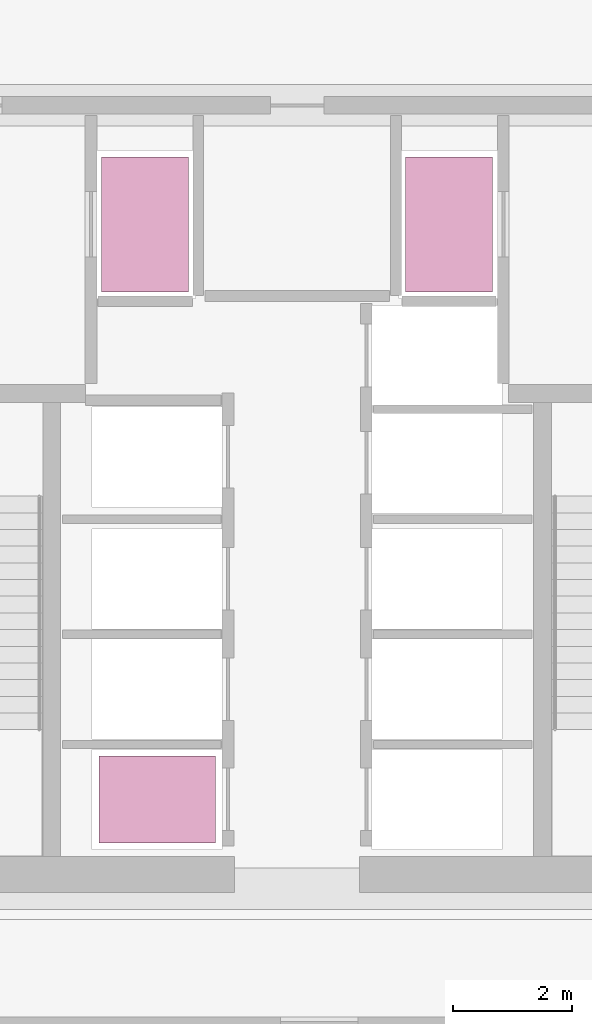
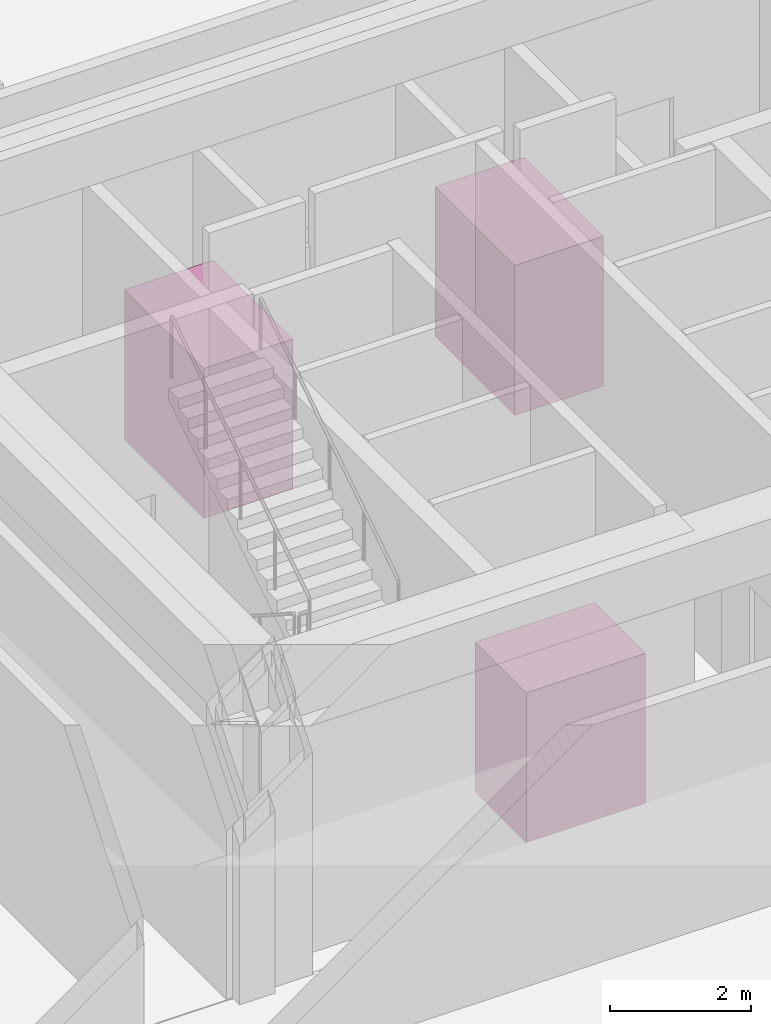
# One storey, part 12 of 12: 3 transport elements.
"""IFC4 building model written with IfcOpenShell, lengths in metres."""

from ifc_helpers import new_model, si_unit, direction, frame, origin, origin_2d, place, context, subcontext, project, spatial, rectangle, extrude, material, type_object, element, save


model = new_model("IFC4")

# Units and contexts
model_context = context("Model", 3, precision=1e-05, world=origin(), true_north=direction((0.0, 1.0)))
body_context = subcontext(model_context, "Body", "Model", "MODEL_VIEW")
ifc_project = project(units=[si_unit("LENGTHUNIT", "METRE"), si_unit("AREAUNIT", "SQUARE_METRE"), si_unit("VOLUMEUNIT", "CUBIC_METRE"), si_unit("PLANEANGLEUNIT", "RADIAN"), si_unit("MASSUNIT", "GRAM", prefix="KILO")], contexts=[model_context])

# Site, building, storey
site_placement = place(None, origin())
site = spatial("IfcSite", under=ifc_project, at=site_placement, CompositionType="ELEMENT")
building_placement = place(site_placement, origin())
building = spatial("IfcBuilding", under=site, at=building_placement, Name="Oramaril Tower", CompositionType="ELEMENT")
storey_placement = place(building_placement, origin())
storey = spatial("IfcBuildingStorey", under=building, at=storey_placement, Name="L00", CompositionType="ELEMENT", Elevation=0.0)

# Transport elements
ifc_material_1 = material(Name="Stainless Steel 316L", Category="steel")
transport_element_type_1 = type_object("IfcTransportElementType", Name="LFT-FF", PredefinedType="ELEVATOR", material=ifc_material_1)
for number, where, z_axis, x_axis, name in (
    (1, (34.949951171875, 22.14990234375, 0.0), (0.0, 0.0, 1.0), (1.0, 0.0, 0.0), "Elevator Car FL-1"),
    (2, (40.050048828125, 22.14990234375, 0.0), (0.0, 0.0, 1.0), (1.0, 0.0, 0.0), "Elevator Car FL-2"),
):
    element("IfcTransportElement", number, at=place(storey_placement, frame(where, z_axis=z_axis, x_axis=x_axis)), inside=storey, type_object=transport_element_type_1, Name=name, PredefinedType="ELEVATOR", context=body_context, shape_type="SweptSolid", body=[
        extrude(rectangle(XDim=1.4599609375, YDim=2.260009765625, at=origin_2d()), origin(), (0.0, 0.0, 1.0), 2.60009765625),
    ])
ifc_material_2 = material(Name="Stainless Steel 316L", Category="steel")
transport_element_type_2 = type_object("IfcTransportElementType", Name="LFT-PAX", PredefinedType="ELEVATOR", material=ifc_material_2)
transport_element_placement = place(storey_placement, frame((35.14990234375, 12.5, 0.0), z_axis=(0.0, 0.0, 1.0), x_axis=(1.0, 0.0, 0.0)))
element("IfcTransportElement", 3, at=transport_element_placement, inside=storey, type_object=transport_element_type_2, Name="Elevator Car LP-L1", PredefinedType="ELEVATOR", context=body_context, shape_type="SweptSolid", body=[
    extrude(rectangle(XDim=1.9599609375, YDim=1.4599609375, at=origin_2d()), origin(), (0.0, 0.0, 1.0), 2.60009765625),
])

save(model, "model.ifc")
